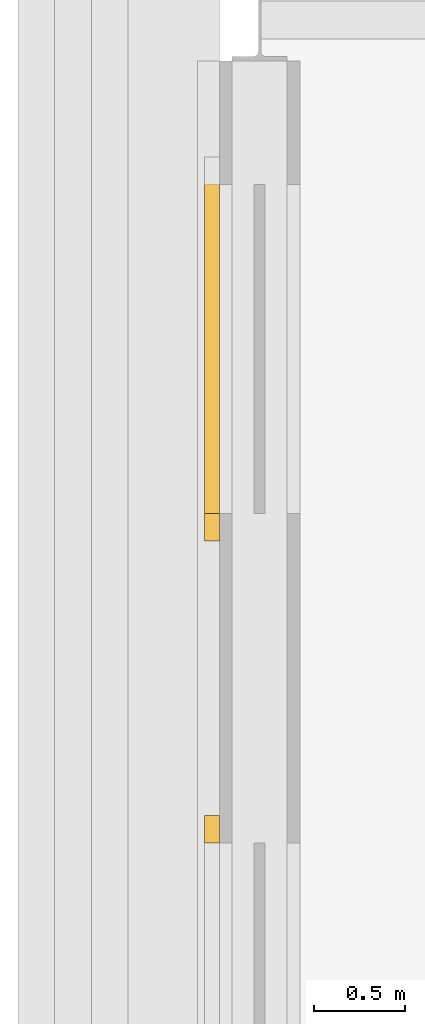
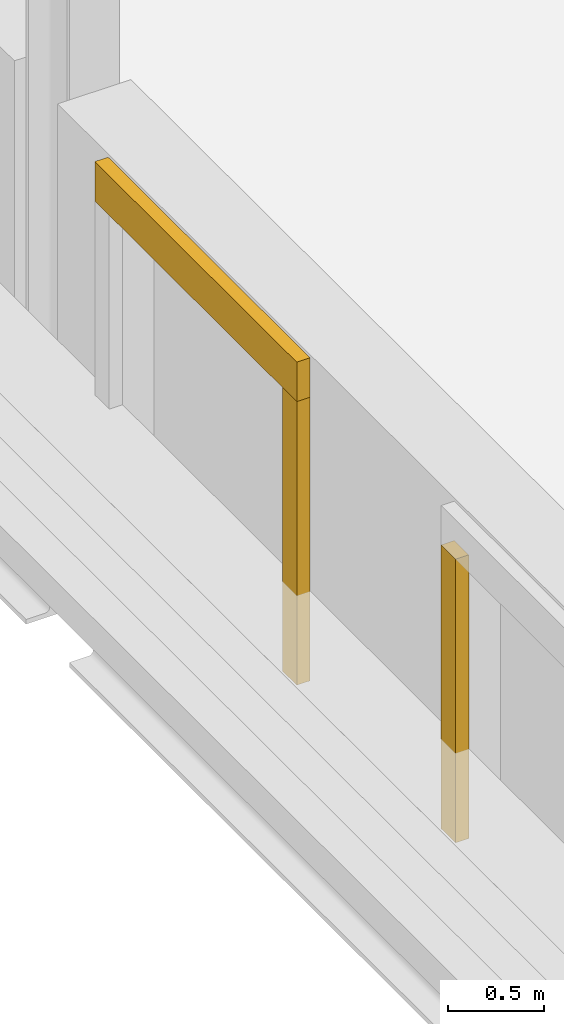
# One storey, part 117 of 142: 3 coverings.
"""IFC4 building model written with IfcOpenShell, lengths in metres."""

from ifc_helpers import new_model, si_unit, direction, frame, origin, origin_2d, place, context, subcontext, project, spatial, rectangle, extrude, material, layer, layer_set, type_object, element, save


model = new_model("IFC4")

# Units and contexts
model_context = context("Model", 3, precision=1e-05, world=origin(), true_north=direction((0.0, 1.0)))
body_context = subcontext(model_context, "Body", "Model", "MODEL_VIEW")
ifc_project = project(units=[si_unit("LENGTHUNIT", "METRE"), si_unit("AREAUNIT", "SQUARE_METRE"), si_unit("VOLUMEUNIT", "CUBIC_METRE"), si_unit("PLANEANGLEUNIT", "RADIAN"), si_unit("MASSUNIT", "GRAM", prefix="KILO")], contexts=[model_context])

# Site, building, storey
site_placement = place(None, origin())
site = spatial("IfcSite", under=ifc_project, at=site_placement, CompositionType="ELEMENT")
building_placement = place(site_placement, origin())
building = spatial("IfcBuilding", under=site, at=building_placement, Name="Kupolbacken Congress Centre", CompositionType="ELEMENT")
storey_placement = place(building_placement, frame((0.0, 0.0, 14.39990234375)))
storey = spatial("IfcBuildingStorey", under=building, at=storey_placement, Name="L04", CompositionType="ELEMENT", Elevation=14.39990234375)

# Coverings
ifc_material = material(Name="Limestone cladding", Category="masonry")
ifc_layer = layer(ifc_material, 0.1201171875)
ifc_layer_set = layer_set([ifc_layer], Name="Limestone cladding")
covering_type = type_object("IfcCoveringType", Name="CV1 limestone cladding band 120", PredefinedType="CLADDING", material=ifc_layer_set)
for number, where, z_axis, x_axis, name in (
    (1, (6.93994140625, 89.175048828125, 0.75), (0.0, 0.0, 1.0), (0.0, -1.0, 0.0), "E/P/W/L04/452/W3/jl"),
    (2, (6.93994140625, 90.824951171875, 0.75), (0.0, 0.0, 1.0), (0.0, -1.0, 0.0), "E/P/W/L04/452/W4/jr"),
):
    element("IfcCovering", number, at=place(storey_placement, frame(where, z_axis=z_axis, x_axis=x_axis)), inside=storey, type_object=covering_type, Name=name, PredefinedType="CLADDING", context=body_context, shape_type="SweptSolid", body=[
        extrude(rectangle(XDim=0.14990234375, YDim=0.080078125, at=origin_2d()), origin(), (0.0, 0.0, 1.0), 1.800048828125),
    ])
covering_placement = place(storey_placement, frame((6.93994140625, 91.800048828125, 2.550048828125), z_axis=(0.0, 0.0, 1.0), x_axis=(0.0, -1.0, 0.0)))
element("IfcCovering", 3, at=covering_placement, inside=storey, type_object=covering_type, Name="E/P/W/L04/452/W4/hd", PredefinedType="CLADDING", context=body_context, shape_type="SweptSolid", body=[
    extrude(rectangle(XDim=2.10009765625, YDim=0.080078125, at=origin_2d()), origin(), (0.0, 0.0, 1.0), 0.25),
])

save(model, "model.ifc")
